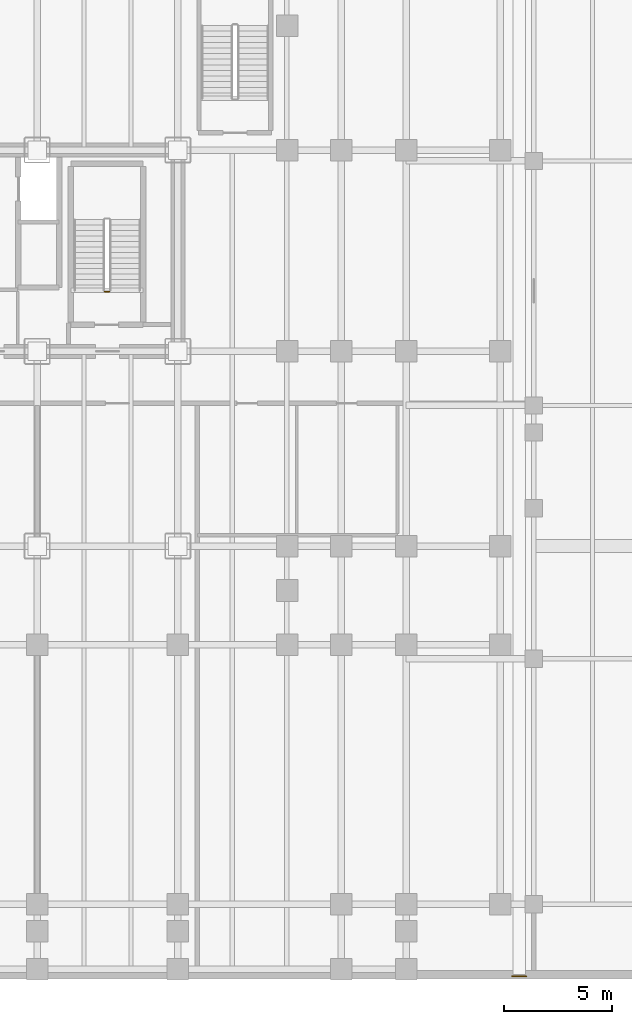
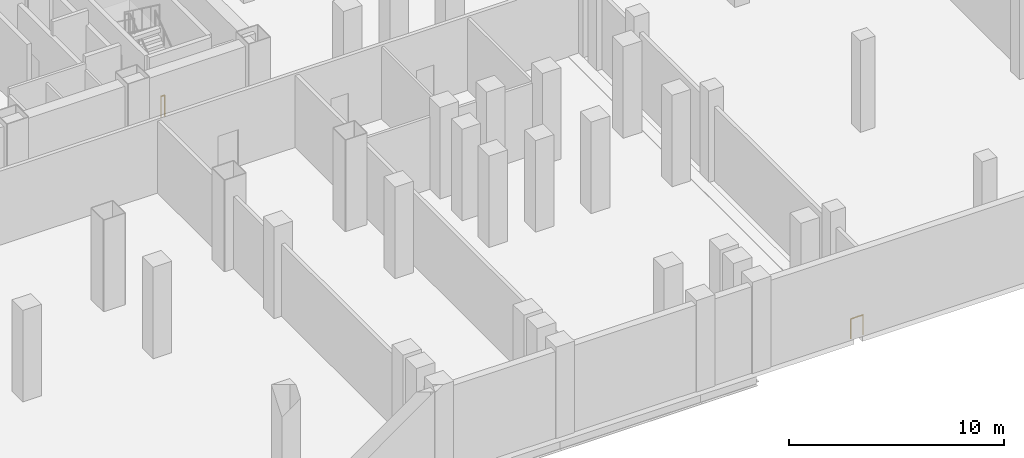
# One storey, part 12 of 15: 2 railings.
"""IFC4 building model written with IfcOpenShell, lengths in metres."""

from ifc_helpers import new_model, si_unit, direction, frame, origin, origin_2d, place, context, subcontext, project, spatial, circle, extrude, material, layer, layer_set, type_object, element, save


model = new_model("IFC4")

# Units and contexts
model_context = context("Model", 3, precision=1e-05, world=origin(), true_north=direction((0.0, 1.0)))
body_context = subcontext(model_context, "Body", "Model", "MODEL_VIEW")
ifc_project = project(units=[si_unit("LENGTHUNIT", "METRE"), si_unit("AREAUNIT", "SQUARE_METRE"), si_unit("VOLUMEUNIT", "CUBIC_METRE"), si_unit("PLANEANGLEUNIT", "RADIAN"), si_unit("MASSUNIT", "GRAM", prefix="KILO")], contexts=[model_context])

# Site, building, storey
site_placement = place(None, origin())
site = spatial("IfcSite", under=ifc_project, at=site_placement, CompositionType="ELEMENT")
building_placement = place(site_placement, origin())
building = spatial("IfcBuilding", under=site, at=building_placement, Name="Noeulbin Bourse Tower", CompositionType="ELEMENT")
storey_placement = place(building_placement, frame((0.0, 0.0, -10.199951171875)))
storey = spatial("IfcBuildingStorey", under=building, at=storey_placement, Name="B02", CompositionType="ELEMENT", Elevation=-10.199951171875)

# Railings
ifc_material_1 = material(Name="Galvanised Tubular Steel S355", Category="steel")
ifc_layer_1 = layer(ifc_material_1, 0.06005859375)
ifc_layer_set_1 = layer_set([ifc_layer_1], Name="Galvanised Tubular Steel S355")
railing_type_1 = type_object("IfcRailingType", Name="RLG-RMP-1100", PredefinedType="GUARDRAIL", material=ifc_layer_set_1)
railing_1_placement = place(storey_placement, frame((59.449951171875, 0.1201171875, 0.0)))
element("IfcRailing", 1, at=railing_1_placement, inside=storey, type_object=railing_type_1, Name="Seismic Joint Edge Guard B02-S", PredefinedType="GUARDRAIL", context=body_context, shape_type="SweptSolid", body=[
    extrude(circle(Radius=0.02392578125, at=origin_2d()), frame((0.0, 0.0, 1.1259765625), z_axis=(1.0, 0.0, 0.0), x_axis=(0.0, 1.0, 0.0)), (0.0, 0.0, 1.0), 0.650146484375),
    extrude(circle(Radius=0.02099609375, at=origin_2d()), origin(), (0.0, 0.0, 1.0), 1.101806640625),
    extrude(circle(Radius=0.02099609375, at=origin_2d()), frame((0.650146484375, 0.0, 0.0)), (0.0, 0.0, 1.0), 1.101806640625),
])
ifc_material_2 = material(Name="Painted Tubular Steel S355", Category="steel")
ifc_layer_2 = layer(ifc_material_2, 0.048095703125)
ifc_layer_set_2 = layer_set([ifc_layer_2], Name="Painted Tubular Steel S355")
railing_type_2 = type_object("IfcRailingType", Name="RLG-STR-GRD", PredefinedType="GUARDRAIL", material=ifc_layer_set_2)
railing_2_placement = place(storey_placement, frame((40.830078125, 31.760009765625, 0.0)))
element("IfcRailing", 2, at=railing_2_placement, inside=storey, type_object=railing_type_2, Name="B02 ST-2 stair guard 4", PredefinedType="GUARDRAIL", context=body_context, shape_type="SweptSolid", body=[
    extrude(circle(Radius=0.02392578125, at=origin_2d()), frame((0.0, 0.0, 1.17578125), z_axis=(-1.0, 0.0, 0.0), x_axis=(0.0, -1.0, 0.0)), (0.0, 0.0, 1.0), 0.2001953125),
    extrude(circle(Radius=0.02099609375, at=origin_2d()), origin(), (0.0, 0.0, 1.0), 1.15185546875),
    extrude(circle(Radius=0.02099609375, at=origin_2d()), frame((-0.2001953125, 0.0, 0.0)), (0.0, 0.0, 1.0), 1.15185546875),
])

save(model, "model.ifc")
